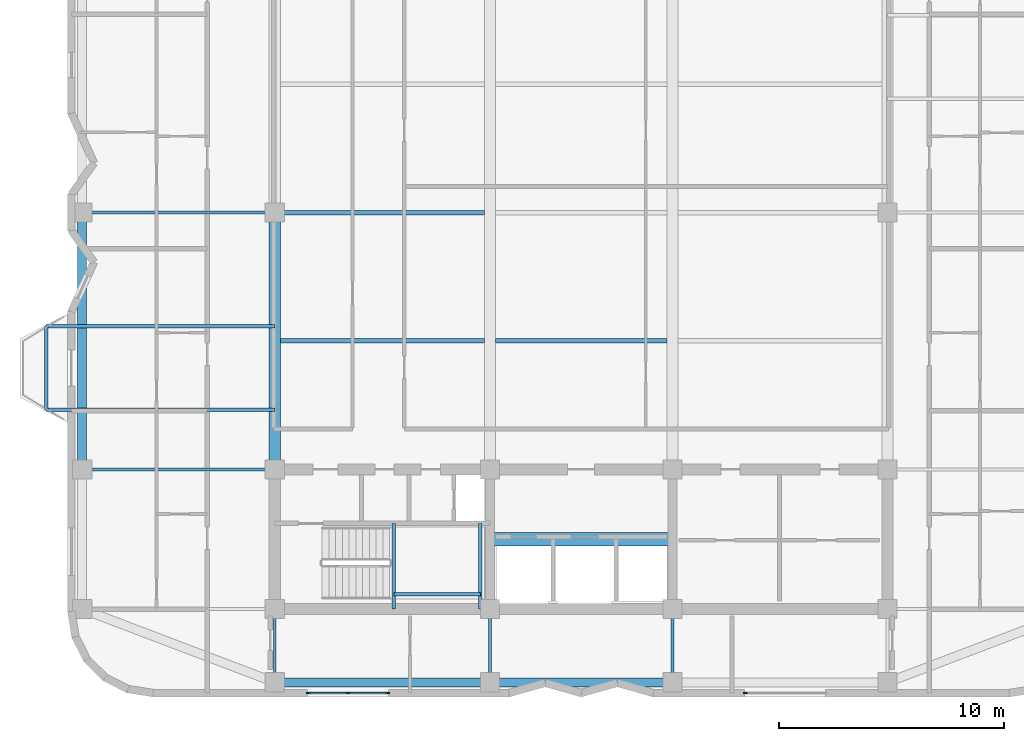
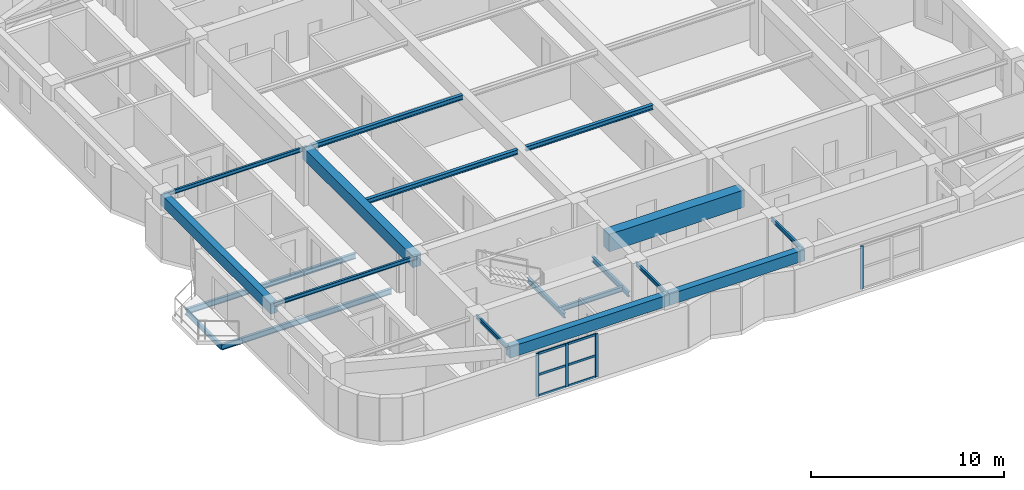
# One storey, part 2 of 14: 19 beams, 10 members, 2 elements without a shape of their own.
"""IFC4 building model written with IfcOpenShell, lengths in metres."""

from ifc_helpers import new_model, si_unit, direction, frame, origin, origin_2d, place, context, subcontext, project, spatial, rectangle, i_section, extrude, material, material_profile, profile_set, type_object, element, aggregate, save


model = new_model("IFC4")

# Units and contexts
model_context = context("Model", 3, precision=1e-05, world=origin(), true_north=direction((0.0, 1.0)))
body_context = subcontext(model_context, "Body", "Model", "MODEL_VIEW")
ifc_project = project(units=[si_unit("LENGTHUNIT", "METRE"), si_unit("AREAUNIT", "SQUARE_METRE"), si_unit("VOLUMEUNIT", "CUBIC_METRE"), si_unit("PLANEANGLEUNIT", "RADIAN"), si_unit("MASSUNIT", "GRAM", prefix="KILO")], contexts=[model_context])

# Site, building, storey
site_placement = place(None, origin())
site = spatial("IfcSite", under=ifc_project, at=site_placement, CompositionType="ELEMENT")
building_placement = place(site_placement, origin())
building = spatial("IfcBuilding", under=site, at=building_placement, Name="Svetorya Sky Lyceum", CompositionType="ELEMENT")
storey_placement = place(building_placement, frame((0.0, 0.0, 218.39990234375)))
storey = spatial("IfcBuildingStorey", under=building, at=storey_placement, Name="L54", CompositionType="ELEMENT", Elevation=218.39990234375)

# Beams
ifc_material_1 = material(Name="Concrete C60/75", Category="concrete")
ifc_material_profile_1 = material_profile(ifc_material_1, rectangle(XDim=0.60009765625, YDim=1.10009765625, at=origin_2d()), Name="RC COUPLING 600x1100")
ifc_profile_set_1 = profile_set([ifc_material_profile_1], Name="Concrete C60/75")
beam_type_1 = type_object("IfcBeamType", Name="BM-CPL-1100", PredefinedType="LINTEL", material=ifc_profile_set_1)
beam_1_placement = place(storey_placement, frame((35.14990234375, 13.699951171875, 2.89013671875), z_axis=(1.0, 0.0, 0.0), x_axis=(0.0, 1.0, 0.0)))
element("IfcBeam", 1, at=beam_1_placement, inside=storey, type_object=beam_type_1, Name="L54 SC Core Coupling Beam", PredefinedType="LINTEL", context=body_context, shape_type="SweptSolid", body=[
    extrude(rectangle(XDim=0.60009765625, YDim=1.10009765625, at=origin_2d()), origin(), (0.0, 0.0, 1.0), 8.10009765625),
])
ifc_material_2 = material(Name="Concrete C50/60", Category="concrete")
ifc_material_profile_2 = material_profile(ifc_material_2, rectangle(XDim=0.5, YDim=0.75, at=origin_2d()), Name="RC BEAM 500x750")
ifc_profile_set_2 = profile_set([ifc_material_profile_2], Name="Concrete C50/60")
beam_type_2 = type_object("IfcBeamType", Name="BM-RC-750", PredefinedType="BEAM", material=ifc_profile_set_2)
beam_2_placement = place(storey_placement, frame((25.60009765625, 16.800048828125, 3.065185546875), z_axis=(0.0, 1.0, 0.0), x_axis=(-1.0, 0.0, 0.0)))
element("IfcBeam", 2, at=beam_2_placement, inside=storey, type_object=beam_type_2, Name="L54 Central Bay Primary Girder CG-1A", PredefinedType="BEAM", context=body_context, shape_type="SweptSolid", body=[
    extrude(rectangle(XDim=0.5, YDim=0.75, at=origin_2d()), origin(), (0.0, 0.0, 1.0), 11.39990234375),
])
ifc_material_profile_3 = material_profile(ifc_material_2, rectangle(XDim=0.39990234375, YDim=0.699951171875, at=origin_2d()), Name="RC SPANDREL 400x700")
ifc_profile_set_3 = profile_set([ifc_material_profile_3], Name="Concrete C50/60")
beam_type_3 = type_object("IfcBeamType", Name="BM-SPN-700", PredefinedType="SPANDREL", material=ifc_profile_set_3)
beam_3_placement = place(storey_placement, frame((25.60009765625, 7.35009765625, 3.090087890625), z_axis=(1.0, 0.0, 0.0), x_axis=(0.0, 1.0, 0.0)))
element("IfcBeam", 3, at=beam_3_placement, inside=storey, type_object=beam_type_3, Name="L54 South Spandrel 1", PredefinedType="SPANDREL", context=body_context, shape_type="SweptSolid", body=[
    extrude(rectangle(XDim=0.39990234375, YDim=0.699951171875, at=origin_2d()), origin(), (0.0, 0.0, 1.0), 9.5498046875),
])
beam_4_placement = place(storey_placement, frame((35.14990234375, 7.35009765625, 3.090087890625), z_axis=(1.0, 0.0, 0.0), x_axis=(0.0, 1.0, 0.0)))
element("IfcBeam", 4, at=beam_4_placement, inside=storey, type_object=beam_type_3, Name="L54 South Spandrel 2", PredefinedType="SPANDREL", context=body_context, shape_type="SweptSolid", body=[
    extrude(rectangle(XDim=0.39990234375, YDim=0.699951171875, at=origin_2d()), origin(), (0.0, 0.0, 1.0), 8.10009765625),
])
beam_5_placement = place(storey_placement, frame((17.050048828125, 16.800048828125, 3.090087890625), z_axis=(0.0, 1.0, 0.0), x_axis=(-1.0, 0.0, 0.0)))
element("IfcBeam", 5, at=beam_5_placement, inside=storey, type_object=beam_type_3, Name="L54 West Spandrel 2", PredefinedType="SPANDREL", context=body_context, shape_type="SweptSolid", body=[
    extrude(rectangle(XDim=0.39990234375, YDim=0.699951171875, at=origin_2d()), origin(), (0.0, 0.0, 1.0), 11.39990234375),
])
ifc_material_3 = material(Name="Steel S355", Category="steel")
ifc_material_profile_4 = material_profile(ifc_material_3, i_section(OverallWidth=0.1240234375, OverallDepth=0.248046875, WebThickness=0.006103515625, FlangeThickness=0.009521484375, at=origin_2d()), Name="GOST 25B2")
ifc_profile_set_4 = profile_set([ifc_material_profile_4], Name="Steel S355")
beam_type_4 = type_object("IfcBeamType", Name="BM-STL-25B2", PredefinedType="JOIST", material=ifc_profile_set_4)
for number, where, z_axis, x_axis, name in (
    (6, (17.050048828125, 16.800048828125, 3.316162109375), (1.0, 0.0, 0.0), (0.0, 1.0, 0.0), "L54 West Wing Floor Joist W2"),
    (7, (17.050048828125, 28.199951171875, 3.316162109375), (1.0, 0.0, 0.0), (0.0, 1.0, 0.0), "L54 West Wing Floor Joist W3"),
):
    element("IfcBeam", number, at=place(storey_placement, frame(where, z_axis=z_axis, x_axis=x_axis)), inside=storey, type_object=beam_type_4, Name=name, PredefinedType="JOIST", context=body_context, shape_type="SweptSolid", body=[
        extrude(i_section(OverallWidth=0.1240234375, OverallDepth=0.248046875, WebThickness=0.006103515625, FlangeThickness=0.009521484375, at=origin_2d()), origin(), (0.0, 0.0, 1.0), 8.550048828125),
    ])
for number, where, z_axis, x_axis, name in (
    (8, (25.60009765625, 7.35009765625, 3.316162109375), (0.0, 1.0, 0.0), (-1.0, 0.0, 0.0), "L54 South Bay Floor Girder S1"),
    (9, (35.14990234375, 7.35009765625, 3.316162109375), (0.0, 1.0, 0.0), (-1.0, 0.0, 0.0), "L54 South Bay Floor Girder S2"),
    (10, (43.25, 7.35009765625, 3.316162109375), (0.0, 1.0, 0.0), (-1.0, 0.0, 0.0), "L54 South Bay Floor Girder S3"),
):
    element("IfcBeam", number, at=place(storey_placement, frame(where, z_axis=z_axis, x_axis=x_axis)), inside=storey, type_object=beam_type_4, Name=name, PredefinedType="JOIST", context=body_context, shape_type="SweptSolid", body=[
        extrude(i_section(OverallWidth=0.1240234375, OverallDepth=0.248046875, WebThickness=0.006103515625, FlangeThickness=0.009521484375, at=origin_2d()), origin(), (0.0, 0.0, 1.0), 3.25),
    ])
ifc_material_profile_5 = material_profile(ifc_material_3, i_section(OverallWidth=0.14990234375, OverallDepth=0.299072265625, WebThickness=0.006591796875, FlangeThickness=0.010498046875, at=origin_2d()), Name="GOST 30B2")
ifc_profile_set_5 = profile_set([ifc_material_profile_5], Name="Steel S355")
beam_type_5 = type_object("IfcBeamType", Name="BM-STL-30B2", PredefinedType="JOIST", material=ifc_profile_set_5)
beam_6_placement = place(storey_placement, frame((15.449951171875, 19.449951171875, -0.434326171875), z_axis=(0.0, 1.0, 0.0), x_axis=(-1.0, 0.0, 0.0)))
element("IfcBeam", 11, at=beam_6_placement, inside=storey, type_object=beam_type_5, Name="L54 Balcony Edge Tie BAL-W1", PredefinedType="JOIST", context=body_context, shape_type="SweptSolid", body=[
    extrude(i_section(OverallWidth=0.14990234375, OverallDepth=0.299072265625, WebThickness=0.006591796875, FlangeThickness=0.010498046875, at=origin_2d()), origin(), (0.0, 0.0, 1.0), 3.699951171875),
])
for number, where, z_axis, x_axis, name in (
    (12, (30.8798828125, 10.60009765625, 1.50048828125), (0.0, 1.0, 0.0), (-1.0, 0.0, 0.0), "L54 Stair ST-S Half-Landing Support Beam 62.1"),
    (13, (34.719970703125, 10.60009765625, 1.50048828125), (0.0, 1.0, 0.0), (-1.0, 0.0, 0.0), "L54 Stair ST-S Half-Landing Support Beam 62.2"),
):
    element("IfcBeam", number, at=place(storey_placement, frame(where, z_axis=z_axis, x_axis=x_axis)), inside=storey, type_object=beam_type_5, Name=name, PredefinedType="JOIST", context=body_context, shape_type="SweptSolid", body=[
        extrude(i_section(OverallWidth=0.14990234375, OverallDepth=0.299072265625, WebThickness=0.006591796875, FlangeThickness=0.010498046875, at=origin_2d()), origin(), (0.0, 0.0, 1.0), 3.7998046875),
    ])
beam_7_placement = place(storey_placement, frame((30.8798828125, 11.25, 1.50048828125), z_axis=(1.0, 0.0, 0.0), x_axis=(0.0, 1.0, 0.0)))
element("IfcBeam", 14, at=beam_7_placement, inside=storey, type_object=beam_type_5, Name="L54 Stair ST-S Half-Landing Cross Tie 62", PredefinedType="JOIST", context=body_context, shape_type="SweptSolid", body=[
    extrude(i_section(OverallWidth=0.14990234375, OverallDepth=0.299072265625, WebThickness=0.006591796875, FlangeThickness=0.010498046875, at=origin_2d()), origin(), (0.0, 0.0, 1.0), 3.840087890625),
])
ifc_material_profile_6 = material_profile(ifc_material_3, i_section(OverallWidth=0.199951171875, OverallDepth=0.298095703125, WebThickness=0.008544921875, FlangeThickness=0.012939453125, at=origin_2d()), Name="GOST 30Sh2")
ifc_profile_set_6 = profile_set([ifc_material_profile_6], Name="Steel S355")
beam_type_6 = type_object("IfcBeamType", Name="BM-STL-30SH2", PredefinedType="BEAM", material=ifc_profile_set_6)
beam_8_placement = place(storey_placement, frame((25.85009765625, 22.5, 3.291015625), z_axis=(1.0, 0.0, 0.0), x_axis=(0.0, 1.0, 0.0)))
element("IfcBeam", 15, at=beam_8_placement, inside=storey, type_object=beam_type_6, Name="L54 Central Floor Joist CJ-1.1", PredefinedType="BEAM", context=body_context, shape_type="SweptSolid", body=[
    extrude(i_section(OverallWidth=0.199951171875, OverallDepth=0.298095703125, WebThickness=0.008544921875, FlangeThickness=0.012939453125, at=origin_2d()), origin(), (0.0, 0.0, 1.0), 9.0498046875),
])
beam_9_placement = place(storey_placement, frame((35.39990234375, 22.5, 3.291015625), z_axis=(1.0, 0.0, 0.0), x_axis=(0.0, 1.0, 0.0)))
element("IfcBeam", 16, at=beam_9_placement, inside=storey, type_object=beam_type_6, Name="L54 Central Floor Joist CJ-1.2", PredefinedType="BEAM", context=body_context, shape_type="SweptSolid", body=[
    extrude(i_section(OverallWidth=0.199951171875, OverallDepth=0.298095703125, WebThickness=0.008544921875, FlangeThickness=0.012939453125, at=origin_2d()), origin(), (0.0, 0.0, 1.0), 7.60009765625),
])
beam_10_placement = place(storey_placement, frame((25.85009765625, 28.199951171875, 3.291015625), z_axis=(1.0, 0.0, 0.0), x_axis=(0.0, 1.0, 0.0)))
element("IfcBeam", 17, at=beam_10_placement, inside=storey, type_object=beam_type_6, Name="L54 Central Floor Joist CJ-2.1", PredefinedType="BEAM", context=body_context, shape_type="SweptSolid", body=[
    extrude(i_section(OverallWidth=0.199951171875, OverallDepth=0.298095703125, WebThickness=0.008544921875, FlangeThickness=0.012939453125, at=origin_2d()), origin(), (0.0, 0.0, 1.0), 9.0498046875),
])
ifc_material_profile_7 = material_profile(ifc_material_3, i_section(OverallWidth=0.155029296875, OverallDepth=0.34912109375, WebThickness=0.007080078125, FlangeThickness=0.011474609375, at=origin_2d()), Name="GOST 35B2")
ifc_profile_set_7 = profile_set([ifc_material_profile_7], Name="Steel S355")
beam_type_7 = type_object("IfcBeamType", Name="BM-STL-35B2", PredefinedType="JOIST", material=ifc_profile_set_7)
for number, where, z_axis, x_axis, name in (
    (18, (25.60009765625, 19.449951171875, -0.434326171875), (-1.0, 0.0, 0.0), (0.0, -1.0, 0.0), "L54 Balcony Cantilever Beam BAL-W1-1"),
    (19, (25.60009765625, 23.14990234375, -0.434326171875), (-1.0, 0.0, 0.0), (0.0, -1.0, 0.0), "L54 Balcony Cantilever Beam BAL-W1-2"),
):
    element("IfcBeam", number, at=place(storey_placement, frame(where, z_axis=z_axis, x_axis=x_axis)), inside=storey, type_object=beam_type_7, Name=name, PredefinedType="JOIST", context=body_context, shape_type="SweptSolid", body=[
        extrude(i_section(OverallWidth=0.155029296875, OverallDepth=0.34912109375, WebThickness=0.007080078125, FlangeThickness=0.011474609375, at=origin_2d()), origin(), (0.0, 0.0, 1.0), 10.150146484375),
    ])

# Curtain wall, members
ifc_material_4 = material(Name="Thermally broken anodized aluminium and triple low-E glass", Category="aluminium")
curtain_wall_type = type_object("IfcCurtainWallType", Name="CW3-LOG-RES", PredefinedType="NOTDEFINED", material=ifc_material_4)
curtain_wall_1_placement = place(storey_placement, origin())
curtain_wall_1 = element("IfcCurtainWall", 20, at=curtain_wall_1_placement, inside=storey, type_object=curtain_wall_type, Name="L54 Recessed Loggia Curtain Wall 6", PredefinedType="NOTDEFINED")
ifc_material_5 = material(Name="Thermally broken anodized aluminium EN AW-6060", Category="aluminium")
ifc_material_profile_8 = material_profile(ifc_material_5, rectangle(XDim=0.06494140625, YDim=0.179931640625, at=origin_2d()), Name="ALU MULLION 65x180")
ifc_profile_set_8 = profile_set([ifc_material_profile_8], Name="Thermally broken anodized aluminium EN AW-6060")
member_type_1 = type_object("IfcMemberType", Name="CWM-MUL-180", PredefinedType="MULLION", material=ifc_profile_set_8)
member_1_placement = place(storey_placement, frame((27.08251953125, 6.8701171875, 0.0), z_axis=(0.0, 0.0, 1.0), x_axis=(0.0, 1.0, 0.0)))
member_1 = element("IfcMember", 21, at=member_1_placement, type_object=member_type_1, Name="CW-3 mullion 1", PredefinedType="MULLION", context=body_context, shape_type="SweptSolid", body=[
    extrude(rectangle(XDim=0.06494140625, YDim=0.179931640625, at=origin_2d()), origin(), (0.0, 0.0, 1.0), 2.72021484375),
])
member_2_placement = place(storey_placement, frame((28.85009765625, 6.8701171875, 0.0), z_axis=(0.0, 0.0, 1.0), x_axis=(0.0, 1.0, 0.0)))
member_2 = element("IfcMember", 22, at=member_2_placement, type_object=member_type_1, Name="CW-3 mullion 2", PredefinedType="MULLION", context=body_context, shape_type="SweptSolid", body=[
    extrude(rectangle(XDim=0.06494140625, YDim=0.179931640625, at=origin_2d()), origin(), (0.0, 0.0, 1.0), 2.72021484375),
])
member_3_placement = place(storey_placement, frame((30.617431640625, 6.8701171875, 0.0), z_axis=(0.0, 0.0, 1.0), x_axis=(0.0, 1.0, 0.0)))
member_3 = element("IfcMember", 23, at=member_3_placement, type_object=member_type_1, Name="CW-3 mullion 3", PredefinedType="MULLION", context=body_context, shape_type="SweptSolid", body=[
    extrude(rectangle(XDim=0.06494140625, YDim=0.179931640625, at=origin_2d()), origin(), (0.0, 0.0, 1.0), 2.72021484375),
])

# Curtain wall, member
curtain_wall_2_placement = place(storey_placement, origin())
curtain_wall_2 = element("IfcCurtainWall", 24, at=curtain_wall_2_placement, inside=storey, type_object=curtain_wall_type, Name="L54 Recessed Loggia Curtain Wall 11", PredefinedType="NOTDEFINED")
member_4_placement = place(storey_placement, frame((46.482421875, 6.8701171875, 0.0), z_axis=(0.0, 0.0, 1.0), x_axis=(0.0, 1.0, 0.0)))
member_4 = element("IfcMember", 25, at=member_4_placement, type_object=member_type_1, Name="CW-3 mullion 1", PredefinedType="MULLION", context=body_context, shape_type="SweptSolid", body=[
    extrude(rectangle(XDim=0.06494140625, YDim=0.179931640625, at=origin_2d()), origin(), (0.0, 0.0, 1.0), 2.72021484375),
])
aggregate(curtain_wall_2, [member_4])

# Member
ifc_material_profile_9 = material_profile(ifc_material_5, rectangle(XDim=0.06494140625, YDim=0.139892578125, at=origin_2d()), Name="ALU TRANSOM 65x140")
ifc_profile_set_9 = profile_set([ifc_material_profile_9], Name="Thermally broken anodized aluminium EN AW-6060")
member_type_2 = type_object("IfcMemberType", Name="CWM-TRN-140", PredefinedType="USERDEFINED", material=ifc_profile_set_9)
member_5_placement = place(storey_placement, frame((27.113525390625, 6.8701171875, 0.03271484375), z_axis=(1.0, 0.0, 0.0), x_axis=(0.0, 1.0, 0.0)))
member_5 = element("IfcMember", 26, at=member_5_placement, type_object=member_type_2, Name="CW-3 transom 1.1", ObjectType="TRANSOM", PredefinedType="USERDEFINED", context=body_context, shape_type="SweptSolid", body=[
    extrude(rectangle(XDim=0.06494140625, YDim=0.139892578125, at=origin_2d()), origin(), (0.0, 0.0, 1.0), 1.70556640625),
])

member_6_placement = place(storey_placement, frame((27.113525390625, 6.8701171875, 1.360107421875), z_axis=(1.0, 0.0, 0.0), x_axis=(0.0, 1.0, 0.0)))
member_6 = element("IfcMember", 27, at=member_6_placement, type_object=member_type_2, Name="CW-3 transom 1.2", ObjectType="TRANSOM", PredefinedType="USERDEFINED", context=body_context, shape_type="SweptSolid", body=[
    extrude(rectangle(XDim=0.06494140625, YDim=0.139892578125, at=origin_2d()), origin(), (0.0, 0.0, 1.0), 1.70556640625),
])

member_7_placement = place(storey_placement, frame((27.113525390625, 6.8701171875, 2.6875), z_axis=(1.0, 0.0, 0.0), x_axis=(0.0, 1.0, 0.0)))
member_7 = element("IfcMember", 28, at=member_7_placement, type_object=member_type_2, Name="CW-3 transom 1.3", ObjectType="TRANSOM", PredefinedType="USERDEFINED", context=body_context, shape_type="SweptSolid", body=[
    extrude(rectangle(XDim=0.06494140625, YDim=0.139892578125, at=origin_2d()), origin(), (0.0, 0.0, 1.0), 1.70556640625),
])

member_8_placement = place(storey_placement, frame((28.881103515625, 6.8701171875, 0.03271484375), z_axis=(1.0, 0.0, 0.0), x_axis=(0.0, 1.0, 0.0)))
member_8 = element("IfcMember", 29, at=member_8_placement, type_object=member_type_2, Name="CW-3 transom 2.1", ObjectType="TRANSOM", PredefinedType="USERDEFINED", context=body_context, shape_type="SweptSolid", body=[
    extrude(rectangle(XDim=0.06494140625, YDim=0.139892578125, at=origin_2d()), origin(), (0.0, 0.0, 1.0), 1.705322265625),
])

member_9_placement = place(storey_placement, frame((28.881103515625, 6.8701171875, 1.360107421875), z_axis=(1.0, 0.0, 0.0), x_axis=(0.0, 1.0, 0.0)))
member_9 = element("IfcMember", 30, at=member_9_placement, type_object=member_type_2, Name="CW-3 transom 2.2", ObjectType="TRANSOM", PredefinedType="USERDEFINED", context=body_context, shape_type="SweptSolid", body=[
    extrude(rectangle(XDim=0.06494140625, YDim=0.139892578125, at=origin_2d()), origin(), (0.0, 0.0, 1.0), 1.705322265625),
])

member_10_placement = place(storey_placement, frame((28.881103515625, 6.8701171875, 2.6875), z_axis=(1.0, 0.0, 0.0), x_axis=(0.0, 1.0, 0.0)))
member_10 = element("IfcMember", 31, at=member_10_placement, type_object=member_type_2, Name="CW-3 transom 2.3", ObjectType="TRANSOM", PredefinedType="USERDEFINED", context=body_context, shape_type="SweptSolid", body=[
    extrude(rectangle(XDim=0.06494140625, YDim=0.139892578125, at=origin_2d()), origin(), (0.0, 0.0, 1.0), 1.705322265625),
])

aggregate(curtain_wall_1, [member_1, member_2, member_3, member_5, member_6, member_7, member_8, member_9, member_10])

save(model, "model.ifc")
